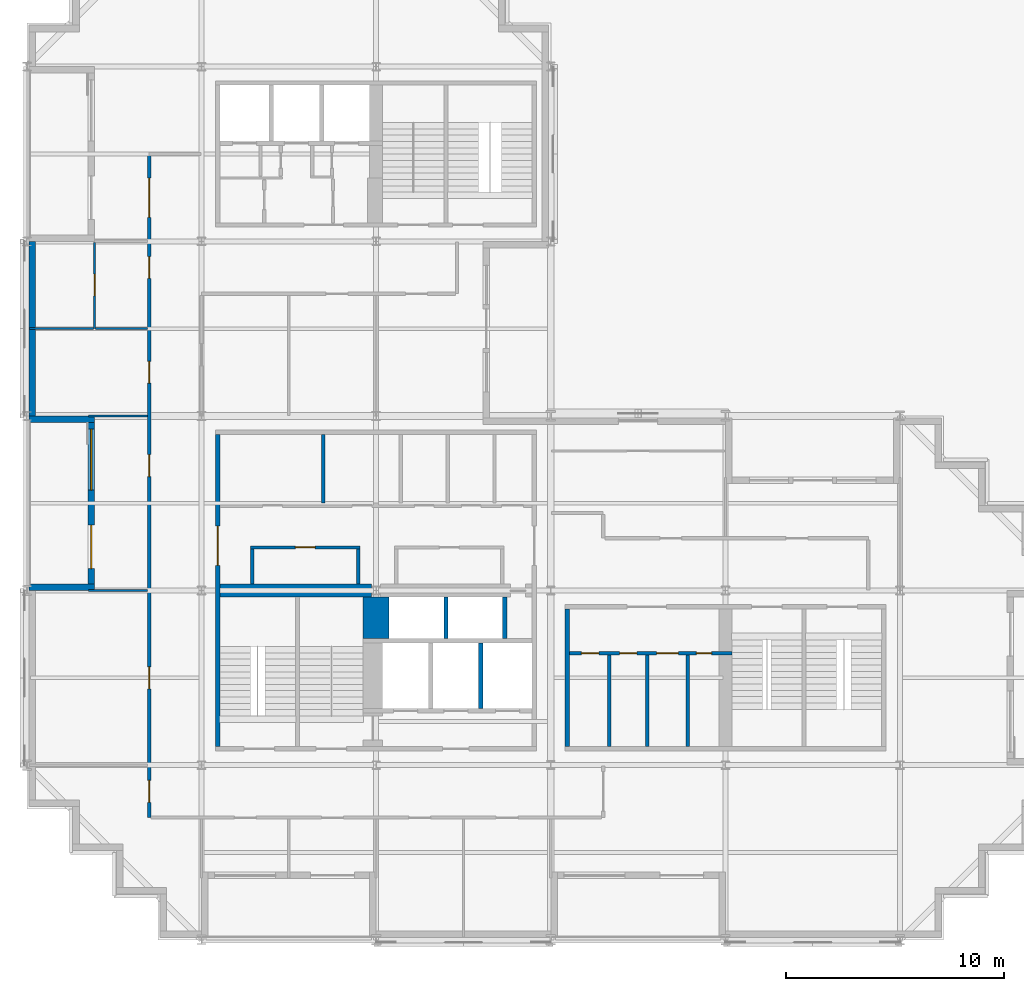
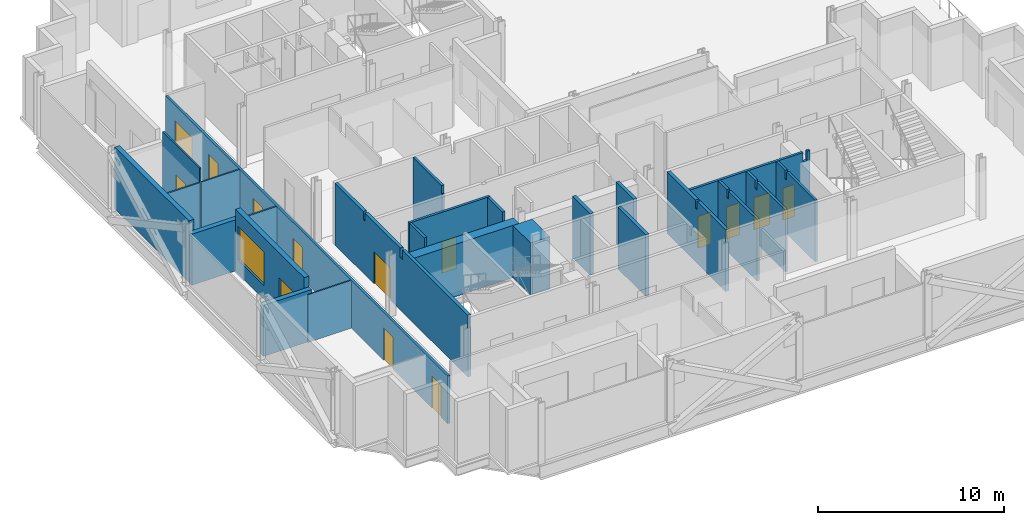
# One storey, part 5 of 12: 25 walls, 14 doors, 1 window, 15 openings.
"""IFC4 building model written with IfcOpenShell, lengths in metres."""

from ifc_helpers import new_model, si_unit, direction, frame, frame_2d, origin, place, context, subcontext, project, spatial, polyline, rectangle, outline, extrude, material, layer, layer_set, type_object, element, fill, save


model = new_model("IFC4")

# Units and contexts
model_context = context("Model", 3, precision=1e-05, world=origin(), true_north=direction((0.0, 1.0)))
body_context = subcontext(model_context, "Body", "Model", "MODEL_VIEW")
ifc_project = project(units=[si_unit("LENGTHUNIT", "METRE"), si_unit("AREAUNIT", "SQUARE_METRE"), si_unit("VOLUMEUNIT", "CUBIC_METRE"), si_unit("PLANEANGLEUNIT", "RADIAN"), si_unit("MASSUNIT", "GRAM", prefix="KILO")], contexts=[model_context])

# Site, building, storey
site_placement = place(None, origin())
site = spatial("IfcSite", under=ifc_project, at=site_placement, CompositionType="ELEMENT")
building_placement = place(site_placement, origin())
building = spatial("IfcBuilding", under=site, at=building_placement, Name="Immortelle Media Tower", CompositionType="ELEMENT")
storey_placement = place(building_placement, frame((0.0, 0.0, 120.0)))
storey = spatial("IfcBuildingStorey", under=building, at=storey_placement, Name="L23", CompositionType="ELEMENT", Elevation=120.0)

# Wall
ifc_material_1 = material(Name="Fire-rated gypsum board", Category="gypsum")
ifc_layer_1 = layer(ifc_material_1, 0.02490234375)
ifc_material_2 = material(Name="Steel ASTM A653 SS Gr 50 stud frame with mineral wool", Category="steel")
ifc_layer_2 = layer(ifc_material_2, 0.10009765625)
ifc_layer_3 = layer(ifc_material_1, 0.02490234375)
ifc_layer_set_1 = layer_set([ifc_layer_1, ifc_layer_2, ifc_layer_3], Name="Steel ASTM A653 SS Gr 50 stud frame with mineral wool")
wall_type_1 = type_object("IfcWallType", Name="Core partition 150", PredefinedType="PARTITIONING", material=ifc_layer_set_1)
wall_1_placement = place(storey_placement, frame((10.324951171875, 16.300048828125, 0.0), z_axis=(0.0, 0.0, 1.0), x_axis=(0.0, 1.0, 0.0)))
element("IfcWall", 1, at=wall_1_placement, inside=storey, type_object=wall_type_1, Name="Core partition SW", PredefinedType="PARTITIONING", context=body_context, shape_type="SweptSolid", body=[
    extrude(rectangle(XDim=1.599853515625, YDim=0.14990234375, at=frame_2d((0.7998046875, 0.0))), origin(), (0.0, 0.0, 1.0), 4.050048828125),
])

# Wall, opening, door
wall_2_placement = place(storey_placement, frame((10.25, 17.97509765625, 0.0), z_axis=(0.0, 0.0, 1.0), x_axis=(1.0, 0.0, 0.0)))
wall_2 = element("IfcWall", 2, at=wall_2_placement, inside=storey, type_object=wall_type_1, Name="Core partition SW", PredefinedType="PARTITIONING", context=body_context, shape_type="SweptSolid", body=[
    extrude(rectangle(XDim=5.0, YDim=0.14990234375, at=frame_2d((2.5, 0.0))), origin(), (0.0, 0.0, 1.0), 4.050048828125),
])
opening_1_placement = place(wall_2_placement, frame((2.949951171875, 0.0, 0.0), z_axis=(0.0, 0.0, 1.0), x_axis=(-1.0, 0.0, 0.0)))
opening_1 = element("IfcOpeningElement", 3, at=opening_1_placement, cuts=wall_2, Name="Opening C1-K004", PredefinedType="OPENING", context=body_context, shape_type="SweptSolid", body=[
    extrude(rectangle(XDim=0.89990234375, YDim=2.10009765625, at=frame_2d((0.449951171875, 1.050048828125))), frame((0.0, 0.0849609375, 0.0), z_axis=(0.0, -1.0, 0.0), x_axis=(1.0, 0.0, 0.0)), (0.0, 0.0, 1.0), 0.169921875),
])
ifc_material_3 = material(Name="Timber", Category="wood")
door_type_1 = type_object("IfcDoorType", Name="Room door 900 x 2100", OperationType="NOTDEFINED", PredefinedType="NOTDEFINED", material=ifc_material_3)
door_1_placement = place(opening_1_placement, origin())
door_1 = element("IfcDoor", 4, at=door_1_placement, inside=storey, type_object=door_type_1, Name="Room C1-K004", OperationType="SINGLE_SWING_RIGHT", OverallHeight=2.10009765625, OverallWidth=0.89990234375, PredefinedType="NOTDEFINED", context=body_context, shape_type="SweptSolid", body=[
    extrude(rectangle(XDim=0.89990234375, YDim=2.10009765625, at=frame_2d((0.449951171875, 1.050048828125))), frame((0.0, 0.02490234375, 0.0), z_axis=(0.0, -1.0, 0.0), x_axis=(1.0, 0.0, 0.0)), (0.0, 0.0, 1.0), 0.050048828125),
])
fill(opening_1, door_1)

# Walls
wall_3_placement = place(storey_placement, frame((13.574951171875, 20.0, 0.0), z_axis=(0.0, 0.0, 1.0), x_axis=(0.0, 1.0, 0.0)))
element("IfcWall", 5, at=wall_3_placement, inside=storey, type_object=wall_type_1, Name="Core partition SW", PredefinedType="PARTITIONING", context=body_context, shape_type="SweptSolid", body=[
    extrude(outline(polyline([(0.0, 0.0), (3.14990234375, 0.0), (3.14990234375, 4.050048828125), (0.08740234375, 4.050048828125), (0.08642578125, 3.51806640625), (0.0, 3.51806640625), (0.0, 0.0)])), frame((0.0, 0.074951171875, 0.0), z_axis=(0.0, -1.0, 0.0), x_axis=(1.0, 0.0, 0.0)), (0.0, 0.0, 1.0), 0.14990234375),
])
wall_4_placement = place(storey_placement, frame((15.175048828125, 16.300048828125, 0.0), z_axis=(0.0, 0.0, 1.0), x_axis=(0.0, 1.0, 0.0)))
element("IfcWall", 6, at=wall_4_placement, inside=storey, type_object=wall_type_1, Name="Core partition SW", PredefinedType="PARTITIONING", context=body_context, shape_type="SweptSolid", body=[
    extrude(rectangle(XDim=1.599853515625, YDim=0.14990234375, at=frame_2d((0.7998046875, 0.0))), origin(), (0.0, 0.0, 1.0), 4.050048828125),
])

# Wall, openings, doors
wall_5_placement = place(storey_placement, frame((24.85009765625, 13.125, 0.0), z_axis=(0.0, 0.0, 1.0), x_axis=(1.0, 0.0, 0.0)))
wall_5 = element("IfcWall", 7, at=wall_5_placement, inside=storey, type_object=wall_type_1, Name="Core partition SE", PredefinedType="PARTITIONING", context=body_context, shape_type="SweptSolid", body=[
    extrude(outline(polyline([(0.0, 0.0), (7.449951171875, 0.0), (7.449951171875, 4.050048828125), (7.26953125, 4.050048828125), (7.2685546875, 3.431884765625), (7.031494140625, 3.431884765625), (7.030517578125, 4.050048828125), (0.0, 4.050048828125), (0.0, 0.0)])), frame((0.0, 0.074951171875, 0.0), z_axis=(0.0, -1.0, 0.0), x_axis=(1.0, 0.0, 0.0)), (0.0, 0.0, 1.0), 0.14990234375),
])
opening_2_placement = place(wall_5_placement, frame((1.35009765625, 0.0, 0.0), z_axis=(0.0, 0.0, 1.0), x_axis=(-1.0, 0.0, 0.0)))
opening_2 = element("IfcOpeningElement", 8, at=opening_2_placement, cuts=wall_5, Name="Opening C1-K018", PredefinedType="OPENING", context=body_context, shape_type="SweptSolid", body=[
    extrude(rectangle(XDim=0.800048828125, YDim=2.10009765625, at=frame_2d((0.39990234375, 1.050048828125))), frame((0.0, 0.0849609375, 0.0), z_axis=(0.0, -1.0, 0.0), x_axis=(1.0, 0.0, 0.0)), (0.0, 0.0, 1.0), 0.169921875),
])
opening_3_placement = place(wall_5_placement, frame((3.10009765625, 0.0, 0.0), z_axis=(0.0, 0.0, 1.0), x_axis=(-1.0, 0.0, 0.0)))
opening_3 = element("IfcOpeningElement", 9, at=opening_3_placement, cuts=wall_5, Name="Opening C1-K019", PredefinedType="OPENING", context=body_context, shape_type="SweptSolid", body=[
    extrude(rectangle(XDim=0.800048828125, YDim=2.10009765625, at=frame_2d((0.39990234375, 1.050048828125))), frame((0.0, 0.0849609375, 0.0), z_axis=(0.0, -1.0, 0.0), x_axis=(1.0, 0.0, 0.0)), (0.0, 0.0, 1.0), 0.169921875),
])
opening_4_placement = place(wall_5_placement, frame((5.0, 0.0, 0.0), z_axis=(0.0, 0.0, 1.0), x_axis=(-1.0, 0.0, 0.0)))
opening_4 = element("IfcOpeningElement", 10, at=opening_4_placement, cuts=wall_5, Name="Opening C1-K021", PredefinedType="OPENING", context=body_context, shape_type="SweptSolid", body=[
    extrude(rectangle(XDim=1.0, YDim=2.10009765625, at=frame_2d((0.5, 1.050048828125))), frame((0.0, 0.0849609375, 0.0), z_axis=(0.0, -1.0, 0.0), x_axis=(1.0, 0.0, 0.0)), (0.0, 0.0, 1.0), 0.169921875),
])
opening_5_placement = place(wall_5_placement, frame((6.52490234375, 0.0, 0.0), z_axis=(0.0, 0.0, 1.0), x_axis=(-1.0, 0.0, 0.0)))
opening_5 = element("IfcOpeningElement", 11, at=opening_5_placement, cuts=wall_5, Name="Opening C1-K022", PredefinedType="OPENING", context=body_context, shape_type="SweptSolid", body=[
    extrude(rectangle(XDim=0.699951171875, YDim=2.10009765625, at=frame_2d((0.35009765625, 1.050048828125))), frame((0.0, 0.0849609375, 0.0), z_axis=(0.0, -1.0, 0.0), x_axis=(1.0, 0.0, 0.0)), (0.0, 0.0, 1.0), 0.169921875),
])
door_type_2 = type_object("IfcDoorType", Name="Accessible toilet door 1000 x 2100", OperationType="NOTDEFINED", PredefinedType="NOTDEFINED", material=ifc_material_3)
door_2_placement = place(opening_4_placement, origin())
door_2 = element("IfcDoor", 12, at=door_2_placement, inside=storey, type_object=door_type_2, Name="Accessible toilet C1-K021", OperationType="SINGLE_SWING_RIGHT", OverallHeight=2.10009765625, OverallWidth=1.0, PredefinedType="NOTDEFINED", context=body_context, shape_type="SweptSolid", body=[
    extrude(rectangle(XDim=1.0, YDim=2.10009765625, at=frame_2d((0.5, 1.050048828125))), frame((0.0, 0.02490234375, 0.0), z_axis=(0.0, -1.0, 0.0), x_axis=(1.0, 0.0, 0.0)), (0.0, 0.0, 1.0), 0.050048828125),
])
fill(opening_4, door_2)
ifc_material_4 = material(Name="Galvanised steel door leaf and frame ASTM A653", Category="steel")
door_type_3 = type_object("IfcDoorType", Name="Service door 700 x 2100", OperationType="NOTDEFINED", PredefinedType="NOTDEFINED", material=ifc_material_4)
door_3_placement = place(opening_5_placement, origin())
door_3 = element("IfcDoor", 13, at=door_3_placement, inside=storey, type_object=door_type_3, Name="Service C1-K022", OperationType="SINGLE_SWING_RIGHT", OverallHeight=2.10009765625, OverallWidth=0.699951171875, PredefinedType="NOTDEFINED", context=body_context, shape_type="SweptSolid", body=[
    extrude(rectangle(XDim=0.699951171875, YDim=2.10009765625, at=frame_2d((0.35009765625, 1.050048828125))), frame((0.0, 0.02490234375, 0.0), z_axis=(0.0, -1.0, 0.0), x_axis=(1.0, 0.0, 0.0)), (0.0, 0.0, 1.0), 0.050048828125),
])
fill(opening_5, door_3)
door_type_4 = type_object("IfcDoorType", Name="Toilet door 800 x 2100", OperationType="NOTDEFINED", PredefinedType="NOTDEFINED", material=ifc_material_3)
door_4_placement = place(opening_2_placement, origin())
door_4 = element("IfcDoor", 14, at=door_4_placement, inside=storey, type_object=door_type_4, Name="Toilet C1-K018", OperationType="SINGLE_SWING_RIGHT", OverallHeight=2.10009765625, OverallWidth=0.800048828125, PredefinedType="NOTDEFINED", context=body_context, shape_type="SweptSolid", body=[
    extrude(rectangle(XDim=0.800048828125, YDim=2.10009765625, at=frame_2d((0.39990234375, 1.050048828125))), frame((0.0, 0.02490234375, 0.0), z_axis=(0.0, -1.0, 0.0), x_axis=(1.0, 0.0, 0.0)), (0.0, 0.0, 1.0), 0.050048828125),
])
fill(opening_2, door_4)
door_5_placement = place(opening_3_placement, origin())
door_5 = element("IfcDoor", 15, at=door_5_placement, inside=storey, type_object=door_type_4, Name="Toilet C1-K019", OperationType="SINGLE_SWING_RIGHT", OverallHeight=2.10009765625, OverallWidth=0.800048828125, PredefinedType="NOTDEFINED", context=body_context, shape_type="SweptSolid", body=[
    extrude(rectangle(XDim=0.800048828125, YDim=2.10009765625, at=frame_2d((0.39990234375, 1.050048828125))), frame((0.0, 0.02490234375, 0.0), z_axis=(0.0, -1.0, 0.0), x_axis=(1.0, 0.0, 0.0)), (0.0, 0.0, 1.0), 0.050048828125),
])
fill(opening_3, door_5)

# Walls
for number, where, z_axis, x_axis, name in (
    (16, (26.675048828125, 8.85009765625, 0.0), (0.0, 0.0, 1.0), (0.0, 1.0, 0.0), "Core partition SE"),
    (17, (28.425048828125, 8.85009765625, 0.0), (0.0, 0.0, 1.0), (0.0, 1.0, 0.0), "Core partition SE"),
    (18, (30.27490234375, 8.85009765625, 0.0), (0.0, 0.0, 1.0), (0.0, 1.0, 0.0), "Core partition SE"),
):
    element("IfcWall", number, at=place(storey_placement, frame(where, z_axis=z_axis, x_axis=x_axis)), inside=storey, type_object=wall_type_1, Name=name, PredefinedType="PARTITIONING", context=body_context, shape_type="SweptSolid", body=[
        extrude(outline(polyline([(0.0, 0.0), (4.199951171875, 0.0), (4.199951171875, 4.050048828125), (3.237548828125, 4.050048828125), (3.236572265625, 3.51806640625), (3.0634765625, 3.51806640625), (3.0625, 4.050048828125), (0.0, 4.050048828125), (0.0, 0.0)])), frame((0.0, 0.074951171875, 0.0), z_axis=(0.0, -1.0, 0.0), x_axis=(1.0, 0.0, 0.0)), (0.0, 0.0, 1.0), 0.14990234375),
    ])
ifc_layer_4 = layer(ifc_material_1, 0.03759765625)
ifc_layer_5 = layer(ifc_material_2, 0.125)
ifc_layer_6 = layer(ifc_material_1, 0.03759765625)
ifc_layer_set_2 = layer_set([ifc_layer_4, ifc_layer_5, ifc_layer_6], Name="Steel ASTM A653 SS Gr 50 stud frame with mineral wool")
wall_type_2 = type_object("IfcWallType", Name="Core shaft wall 200", PredefinedType="PARTITIONING", material=ifc_layer_set_2)
wall_6_placement = place(storey_placement, frame((19.199951171875, 13.800048828125, 0.0), z_axis=(0.0, 0.0, 1.0), x_axis=(0.0, 1.0, 0.0)))
element("IfcWall", 19, at=wall_6_placement, inside=storey, type_object=wall_type_2, Name="Core shaft wall SW", PredefinedType="PARTITIONING", context=body_context, shape_type="SweptSolid", body=[
    extrude(rectangle(XDim=1.89990234375, YDim=0.199951171875, at=frame_2d((0.949951171875, 0.0))), origin(), (0.0, 0.0, 1.0), 4.050048828125),
])
wall_7_placement = place(storey_placement, frame((20.800048828125, 10.60009765625, 0.0), z_axis=(0.0, 0.0, 1.0), x_axis=(0.0, 1.0, 0.0)))
element("IfcWall", 20, at=wall_7_placement, inside=storey, type_object=wall_type_2, Name="Core shaft wall SW", PredefinedType="PARTITIONING", context=body_context, shape_type="SweptSolid", body=[
    extrude(rectangle(XDim=3.0, YDim=0.199951171875, at=frame_2d((1.5, 0.0))), origin(), (0.0, 0.0, 1.0), 4.050048828125),
])
wall_8_placement = place(storey_placement, frame((21.89990234375, 13.800048828125, 0.0), z_axis=(0.0, 0.0, 1.0), x_axis=(0.0, 1.0, 0.0)))
element("IfcWall", 21, at=wall_8_placement, inside=storey, type_object=wall_type_2, Name="Core shaft wall SW", PredefinedType="PARTITIONING", context=body_context, shape_type="SweptSolid", body=[
    extrude(rectangle(XDim=1.89990234375, YDim=0.199951171875, at=frame_2d((0.949951171875, 0.0))), origin(), (0.0, 0.0, 1.0), 4.050048828125),
])
wall_9_placement = place(storey_placement, frame((24.75, 8.85009765625, 0.0), z_axis=(0.0, 0.0, 1.0), x_axis=(0.0, 1.0, 0.0)))
element("IfcWall", 22, at=wall_9_placement, inside=storey, type_object=wall_type_2, Name="Core shaft wall SE", PredefinedType="PARTITIONING", context=body_context, shape_type="SweptSolid", body=[
    extrude(outline(polyline([(0.0, 0.0), (6.2998046875, 0.0), (6.300048828125, 4.050048828125), (3.237548828125, 4.050048828125), (3.236572265625, 3.51806640625), (3.0634765625, 3.51806640625), (3.0625, 4.050048828125), (0.0, 4.050048828125), (0.0, 0.0)])), frame((0.0, 0.10009765625, 0.0), z_axis=(0.0, -1.0, 0.0), x_axis=(1.0, 0.0, 0.0)), (0.0, 0.0, 1.0), 0.199951171875),
])

# Wall, openings, doors
ifc_layer_7 = layer(ifc_material_1, 0.012451171875)
ifc_layer_8 = layer(ifc_material_2, 0.125)
ifc_layer_9 = layer(ifc_material_1, 0.012451171875)
ifc_layer_set_3 = layer_set([ifc_layer_7, ifc_layer_8, ifc_layer_9], Name="Steel ASTM A653 SS Gr 50 stud frame with mineral wool")
wall_type_3 = type_object("IfcWallType", Name="Corridor wall 150", PredefinedType="PARTITIONING", material=ifc_layer_set_3)
wall_10_placement = place(storey_placement, frame((5.60009765625, 5.60009765625, 0.0), z_axis=(0.0, 0.0, 1.0), x_axis=(0.0, 1.0, 0.0)))
wall_10 = element("IfcWall", 23, at=wall_10_placement, inside=storey, type_object=wall_type_3, Name="Partition L23-007", PredefinedType="PARTITIONING", context=body_context, shape_type="SweptSolid", body=[
    extrude(rectangle(XDim=30.324951171875, YDim=0.14990234375, at=frame_2d((15.16259765625, 0.0))), origin(), (0.0, 0.0, 1.0), 3.123046875),
])
opening_6_placement = place(wall_10_placement, frame((0.699951171875, 0.0, 0.0)))
opening_6 = element("IfcOpeningElement", 24, at=opening_6_placement, cuts=wall_10, Name="Opening C1-F005", PredefinedType="OPENING", context=body_context, shape_type="SweptSolid", body=[
    extrude(rectangle(XDim=1.0, YDim=2.10009765625, at=frame_2d((0.5, 1.050048828125))), frame((0.0, 0.0849609375, 0.0), z_axis=(0.0, -1.0, 0.0), x_axis=(1.0, 0.0, 0.0)), (0.0, 0.0, 1.0), 0.169921875),
])
opening_7_placement = place(wall_10_placement, frame((6.89990234375, 0.0, 0.0), z_axis=(0.0, 0.0, 1.0), x_axis=(-1.0, 0.0, 0.0)))
opening_7 = element("IfcOpeningElement", 25, at=opening_7_placement, cuts=wall_10, Name="Opening C1-F007", PredefinedType="OPENING", context=body_context, shape_type="SweptSolid", body=[
    extrude(rectangle(XDim=1.0, YDim=2.10009765625, at=frame_2d((0.5, 1.050048828125))), frame((0.0, 0.0849609375, 0.0), z_axis=(0.0, -1.0, 0.0), x_axis=(1.0, 0.0, 0.0)), (0.0, 0.0, 1.0), 0.169921875),
])
opening_8_placement = place(wall_10_placement, frame((15.625, 0.0, 0.0)))
opening_8 = element("IfcOpeningElement", 26, at=opening_8_placement, cuts=wall_10, Name="Opening C1-F009", PredefinedType="OPENING", context=body_context, shape_type="SweptSolid", body=[
    extrude(rectangle(XDim=1.0, YDim=2.10009765625, at=frame_2d((0.5, 1.050048828125))), frame((0.0, 0.0849609375, 0.0), z_axis=(0.0, -1.0, 0.0), x_axis=(1.0, 0.0, 0.0)), (0.0, 0.0, 1.0), 0.169921875),
])
opening_9_placement = place(wall_10_placement, frame((19.89990234375, 0.0, 0.0)))
opening_9 = element("IfcOpeningElement", 27, at=opening_9_placement, cuts=wall_10, Name="Opening C1-F015", PredefinedType="OPENING", context=body_context, shape_type="SweptSolid", body=[
    extrude(rectangle(XDim=1.0, YDim=2.10009765625, at=frame_2d((0.5, 1.050048828125))), frame((0.0, 0.0849609375, 0.0), z_axis=(0.0, -1.0, 0.0), x_axis=(1.0, 0.0, 0.0)), (0.0, 0.0, 1.0), 0.169921875),
])
opening_10_placement = place(wall_10_placement, frame((24.699951171875, 0.0, 0.0)))
opening_10 = element("IfcOpeningElement", 28, at=opening_10_placement, cuts=wall_10, Name="Opening C1-F016", PredefinedType="OPENING", context=body_context, shape_type="SweptSolid", body=[
    extrude(rectangle(XDim=1.0, YDim=2.10009765625, at=frame_2d((0.5, 1.050048828125))), frame((0.0, 0.0849609375, 0.0), z_axis=(0.0, -1.0, 0.0), x_axis=(1.0, 0.0, 0.0)), (0.0, 0.0, 1.0), 0.169921875),
])
opening_11_placement = place(wall_10_placement, frame((27.5, 0.0, 0.0)))
opening_11 = element("IfcOpeningElement", 29, at=opening_11_placement, cuts=wall_10, Name="Opening C1-F018", PredefinedType="OPENING", context=body_context, shape_type="SweptSolid", body=[
    extrude(rectangle(XDim=1.800048828125, YDim=2.10009765625, at=frame_2d((0.89990234375, 1.050048828125))), frame((0.0, 0.0849609375, 0.0), z_axis=(0.0, -1.0, 0.0), x_axis=(1.0, 0.0, 0.0)), (0.0, 0.0, 1.0), 0.169921875),
])
ifc_material_5 = material(Name="Timber veneered door leaf, galvanised steel frame ASTM A653", Category="steel")
door_type_5 = type_object("IfcDoorType", Name="Room door 1000 x 2100", OperationType="NOTDEFINED", PredefinedType="DOOR", material=ifc_material_5)
door_6_placement = place(opening_6_placement, origin())
door_6 = element("IfcDoor", 30, at=door_6_placement, inside=storey, type_object=door_type_5, Name="Door C1-F005", OperationType="SINGLE_SWING_RIGHT", OverallHeight=2.10009765625, OverallWidth=1.0, PredefinedType="DOOR", context=body_context, shape_type="SweptSolid", body=[
    extrude(rectangle(XDim=1.0, YDim=2.10009765625, at=frame_2d((0.5, 1.050048828125))), frame((0.0, 0.02490234375, 0.0), z_axis=(0.0, -1.0, 0.0), x_axis=(1.0, 0.0, 0.0)), (0.0, 0.0, 1.0), 0.050048828125),
])
fill(opening_6, door_6)
door_7_placement = place(opening_7_placement, origin())
door_7 = element("IfcDoor", 31, at=door_7_placement, inside=storey, type_object=door_type_5, Name="Door C1-F007", OperationType="SINGLE_SWING_RIGHT", OverallHeight=2.10009765625, OverallWidth=1.0, PredefinedType="DOOR", context=body_context, shape_type="SweptSolid", body=[
    extrude(rectangle(XDim=1.0, YDim=2.10009765625, at=frame_2d((0.5, 1.050048828125))), frame((0.0, 0.02490234375, 0.0), z_axis=(0.0, -1.0, 0.0), x_axis=(1.0, 0.0, 0.0)), (0.0, 0.0, 1.0), 0.050048828125),
])
fill(opening_7, door_7)
door_8_placement = place(opening_8_placement, origin())
door_8 = element("IfcDoor", 32, at=door_8_placement, inside=storey, type_object=door_type_5, Name="Door C1-F009", OperationType="SINGLE_SWING_RIGHT", OverallHeight=2.10009765625, OverallWidth=1.0, PredefinedType="DOOR", context=body_context, shape_type="SweptSolid", body=[
    extrude(rectangle(XDim=1.0, YDim=2.10009765625, at=frame_2d((0.5, 1.050048828125))), frame((0.0, 0.02490234375, 0.0), z_axis=(0.0, -1.0, 0.0), x_axis=(1.0, 0.0, 0.0)), (0.0, 0.0, 1.0), 0.050048828125),
])
fill(opening_8, door_8)
door_9_placement = place(opening_9_placement, origin())
door_9 = element("IfcDoor", 33, at=door_9_placement, inside=storey, type_object=door_type_5, Name="Door C1-F015", OperationType="SINGLE_SWING_RIGHT", OverallHeight=2.10009765625, OverallWidth=1.0, PredefinedType="DOOR", context=body_context, shape_type="SweptSolid", body=[
    extrude(rectangle(XDim=1.0, YDim=2.10009765625, at=frame_2d((0.5, 1.050048828125))), frame((0.0, 0.02490234375, 0.0), z_axis=(0.0, -1.0, 0.0), x_axis=(1.0, 0.0, 0.0)), (0.0, 0.0, 1.0), 0.050048828125),
])
fill(opening_9, door_9)
door_10_placement = place(opening_10_placement, origin())
door_10 = element("IfcDoor", 34, at=door_10_placement, inside=storey, type_object=door_type_5, Name="Door C1-F016", OperationType="SINGLE_SWING_RIGHT", OverallHeight=2.10009765625, OverallWidth=1.0, PredefinedType="DOOR", context=body_context, shape_type="SweptSolid", body=[
    extrude(rectangle(XDim=1.0, YDim=2.10009765625, at=frame_2d((0.5, 1.050048828125))), frame((0.0, 0.02490234375, 0.0), z_axis=(0.0, -1.0, 0.0), x_axis=(1.0, 0.0, 0.0)), (0.0, 0.0, 1.0), 0.050048828125),
])
fill(opening_10, door_10)
door_type_6 = type_object("IfcDoorType", Name="Room door 1800 x 2100", OperationType="DOUBLE_DOOR_SINGLE_SWING", PredefinedType="DOOR", material=ifc_material_5)
door_11_placement = place(opening_11_placement, origin())
door_11 = element("IfcDoor", 35, at=door_11_placement, inside=storey, type_object=door_type_6, Name="Door C1-F018", OperationType="DOUBLE_DOOR_SINGLE_SWING", OverallHeight=2.10009765625, OverallWidth=1.800048828125, PredefinedType="DOOR", context=body_context, shape_type="SweptSolid", body=[
    extrude(rectangle(XDim=1.800048828125, YDim=2.10009765625, at=frame_2d((0.89990234375, 1.050048828125))), frame((0.0, 0.02490234375, 0.0), z_axis=(0.0, -1.0, 0.0), x_axis=(1.0, 0.0, 0.0)), (0.0, 0.0, 1.0), 0.050048828125),
])
fill(opening_11, door_11)

# Wall
ifc_material_6 = material(Name="Pale aluminium cladding panel", Category="aluminium")
ifc_layer_10 = layer(ifc_material_6, 0.030029296875)
ifc_layer_11 = layer(ifc_material_2, 0.257568359375)
ifc_material_7 = material(Name="Moisture-resistant gypsum board", Category="gypsum")
ifc_layer_12 = layer(ifc_material_7, 0.012451171875)
ifc_layer_set_4 = layer_set([ifc_layer_10, ifc_layer_11, ifc_layer_12], Name="Steel ASTM A653 SS Gr 50 stud frame with mineral wool")
wall_type_4 = type_object("IfcWallType", Name="Facade wall 300", PredefinedType="SOLIDWALL", material=ifc_layer_set_4)
wall_11_placement = place(storey_placement, frame((0.25, 32.0, 0.0), z_axis=(0.0, 0.0, 1.0), x_axis=(0.0, -1.0, 0.0)))
element("IfcWall", 36, at=wall_11_placement, inside=storey, type_object=wall_type_4, Name="Facade wall L23 W35", PredefinedType="SOLIDWALL", context=body_context, shape_type="SweptSolid", body=[
    extrude(rectangle(XDim=8.0, YDim=0.300048828125, at=frame_2d((4.0, 0.0))), origin(), (0.0, 0.0, 1.0), 4.050048828125),
])

# Wall, openings, door, window
wall_12_placement = place(storey_placement, frame((2.949951171875, 23.699951171875, 0.0), z_axis=(0.0, 0.0, 1.0), x_axis=(0.0, -1.0, 0.0)))
wall_12 = element("IfcWall", 37, at=wall_12_placement, inside=storey, type_object=wall_type_4, Name="Loggia wall L23 W35", PredefinedType="SOLIDWALL", context=body_context, shape_type="SweptSolid", body=[
    extrude(rectangle(XDim=7.39990234375, YDim=0.300048828125, at=frame_2d((3.699951171875, 0.0))), origin(), (0.0, 0.0, 1.0), 4.050048828125),
])
opening_12_placement = place(wall_12_placement, frame((0.300048828125, 0.0, 0.89990234375)))
opening_12 = element("IfcOpeningElement", 38, at=opening_12_placement, cuts=wall_12, Name="Opening W1", PredefinedType="OPENING", context=body_context, shape_type="SweptSolid", body=[
    extrude(rectangle(XDim=2.800048828125, YDim=2.199951171875, at=frame_2d((1.39990234375, 1.10009765625))), frame((0.0, 0.159912109375, 0.0), z_axis=(0.0, -1.0, 0.0), x_axis=(1.0, 0.0, 0.0)), (0.0, 0.0, 1.0), 0.320068359375),
])
opening_13_placement = place(wall_12_placement, frame((4.699951171875, 0.0, 0.0)))
opening_13 = element("IfcOpeningElement", 39, at=opening_13_placement, cuts=wall_12, Name="Opening C1-E008", PredefinedType="OPENING", context=body_context, shape_type="SweptSolid", body=[
    extrude(rectangle(XDim=2.0, YDim=2.39990234375, at=frame_2d((1.0, 1.199951171875))), frame((0.0, 0.159912109375, 0.0), z_axis=(0.0, -1.0, 0.0), x_axis=(1.0, 0.0, 0.0)), (0.0, 0.0, 1.0), 0.320068359375),
])
ifc_material_8 = material(Name="Aluminium frame, glazed leaves", Category="aluminium")
door_type_7 = type_object("IfcDoorType", Name="Loggia door 2000 x 2400", OperationType="DOUBLE_DOOR_SINGLE_SWING", PredefinedType="DOOR", material=ifc_material_8)
door_12_placement = place(opening_13_placement, origin())
door_12 = element("IfcDoor", 40, at=door_12_placement, inside=storey, type_object=door_type_7, Name="Door C1-E008", OperationType="DOUBLE_DOOR_SINGLE_SWING", OverallHeight=2.39990234375, OverallWidth=2.0, PredefinedType="DOOR", context=body_context, shape_type="SweptSolid", body=[
    extrude(rectangle(XDim=2.0, YDim=2.39990234375, at=frame_2d((1.0, 1.199951171875))), frame((0.0, 0.02490234375, 0.0), z_axis=(0.0, -1.0, 0.0), x_axis=(1.0, 0.0, 0.0)), (0.0, 0.0, 1.0), 0.050048828125),
])
fill(opening_13, door_12)
ifc_material_9 = material(Name="Aluminium frame", Category="aluminium")
window_type = type_object("IfcWindowType", Name="Window 2800 x 2200", PartitioningType="SINGLE_PANEL", PredefinedType="WINDOW", material=ifc_material_9)
window_placement = place(opening_12_placement, origin())
window = element("IfcWindow", 41, at=window_placement, inside=storey, type_object=window_type, Name="Window L23 L23-R35-B2", OverallHeight=2.199951171875, OverallWidth=2.800048828125, PartitioningType="SINGLE_PANEL", PredefinedType="WINDOW", context=body_context, shape_type="SweptSolid", body=[
    extrude(rectangle(XDim=2.800048828125, YDim=2.199951171875, at=frame_2d((1.39990234375, 1.10009765625))), frame((0.0, 0.030029296875, 0.0), z_axis=(0.0, -1.0, 0.0), x_axis=(1.0, 0.0, 0.0)), (0.0, 0.0, 1.0), 0.06005859375),
])
fill(opening_12, window)

# Walls
for number, where, z_axis, x_axis, name in (
    (42, (0.10009765625, 23.85009765625, 0.0), (0.0, 0.0, 1.0), (1.0, 0.0, 0.0), "Loggia cheek wall L23 W"),
    (43, (0.10009765625, 16.14990234375, 0.0), (0.0, 0.0, 1.0), (1.0, 0.0, 0.0), "Loggia cheek wall L23 W"),
):
    element("IfcWall", number, at=place(storey_placement, frame(where, z_axis=z_axis, x_axis=x_axis)), inside=storey, type_object=wall_type_4, Name=name, PredefinedType="SOLIDWALL", context=body_context, shape_type="SweptSolid", body=[
        extrude(rectangle(XDim=3.0, YDim=0.300048828125, at=frame_2d((1.5, 0.0))), origin(), (0.0, 0.0, 1.0), 3.35595703125),
    ])
ifc_material_10 = material(Name="Gypsum board", Category="gypsum")
ifc_layer_13 = layer(ifc_material_10, 0.012451171875)
ifc_layer_14 = layer(ifc_material_2, 0.074951171875)
ifc_layer_15 = layer(ifc_material_10, 0.012451171875)
ifc_layer_set_5 = layer_set([ifc_layer_13, ifc_layer_14, ifc_layer_15], Name="Steel ASTM A653 SS Gr 50 stud frame with mineral wool")
wall_type_5 = type_object("IfcWallType", Name="Partition 100", PredefinedType="PARTITIONING", material=ifc_layer_set_5)
for number, where, z_axis, x_axis, name in (
    (44, (2.830078125, 16.0, 0.0), (0.0, 0.0, 1.0), (1.0, 0.0, 0.0), "Partition L23-010"),
    (45, (2.830078125, 24.0, 0.0), (0.0, 0.0, 1.0), (1.0, 0.0, 0.0), "Partition L23-018"),
):
    element("IfcWall", number, at=place(storey_placement, frame(where, z_axis=z_axis, x_axis=x_axis)), inside=storey, type_object=wall_type_5, Name=name, PredefinedType="PARTITIONING", context=body_context, shape_type="SweptSolid", body=[
        extrude(rectangle(XDim=2.69482421875, YDim=0.10009765625, at=frame_2d((1.347412109375, 0.0))), origin(), (0.0, 0.0, 1.0), 3.123046875),
    ])
wall_13_placement = place(storey_placement, frame((0.1298828125, 28.0, 0.0), z_axis=(0.0, 0.0, 1.0), x_axis=(1.0, 0.0, 0.0)))
element("IfcWall", 46, at=wall_13_placement, inside=storey, type_object=wall_type_5, Name="Partition L23-022", PredefinedType="PARTITIONING", context=body_context, shape_type="SweptSolid", body=[
    extrude(rectangle(XDim=2.920166015625, YDim=0.10009765625, at=frame_2d((1.4599609375, 0.0))), origin(), (0.0, 0.0, 1.0), 3.123046875),
])
wall_14_placement = place(storey_placement, frame((3.14990234375, 28.0, 0.0), z_axis=(0.0, 0.0, 1.0), x_axis=(1.0, 0.0, 0.0)))
element("IfcWall", 47, at=wall_14_placement, inside=storey, type_object=wall_type_5, Name="Partition L23-023", PredefinedType="PARTITIONING", context=body_context, shape_type="SweptSolid", body=[
    extrude(rectangle(XDim=2.375, YDim=0.10009765625, at=frame_2d((1.1875, 0.0))), origin(), (0.0, 0.0, 1.0), 3.123046875),
])

# Wall, opening, door
wall_15_placement = place(storey_placement, frame((3.10009765625, 28.0, 0.0), z_axis=(0.0, 0.0, 1.0), x_axis=(0.0, 1.0, 0.0)))
wall_15 = element("IfcWall", 48, at=wall_15_placement, inside=storey, type_object=wall_type_5, Name="Partition L23-024", PredefinedType="PARTITIONING", context=body_context, shape_type="SweptSolid", body=[
    extrude(rectangle(XDim=3.949951171875, YDim=0.10009765625, at=frame_2d((1.97509765625, 0.0))), origin(), (0.0, 0.0, 1.0), 4.050048828125),
])
opening_14_placement = place(wall_15_placement, frame((2.5, 0.0, 0.0), z_axis=(0.0, 0.0, 1.0), x_axis=(-1.0, 0.0, 0.0)))
opening_14 = element("IfcOpeningElement", 49, at=opening_14_placement, cuts=wall_15, Name="Opening C1-F017", PredefinedType="OPENING", context=body_context, shape_type="SweptSolid", body=[
    extrude(rectangle(XDim=1.0, YDim=2.10009765625, at=frame_2d((0.5, 1.050048828125))), frame((0.0, 0.06005859375, 0.0), z_axis=(0.0, -1.0, 0.0), x_axis=(1.0, 0.0, 0.0)), (0.0, 0.0, 1.0), 0.1201171875),
])
door_13_placement = place(opening_14_placement, origin())
door_13 = element("IfcDoor", 50, at=door_13_placement, inside=storey, type_object=door_type_5, Name="Door C1-F017", OperationType="SINGLE_SWING_LEFT", OverallHeight=2.10009765625, OverallWidth=1.0, PredefinedType="DOOR", context=body_context, shape_type="SweptSolid", body=[
    extrude(rectangle(XDim=1.0, YDim=2.10009765625, at=frame_2d((0.5, 1.050048828125))), frame((0.0, 0.02490234375, 0.0), z_axis=(0.0, -1.0, 0.0), x_axis=(1.0, 0.0, 0.0)), (0.0, 0.0, 1.0), 0.050048828125),
])
fill(opening_14, door_13)

# Wall
ifc_material_11 = material(Name="Concrete C60", Category="concrete")
ifc_layer_16 = layer(ifc_material_11, 1.199951171875)
ifc_layer_set_6 = layer_set([ifc_layer_16], Name="Concrete C60")
wall_type_6 = type_object("IfcWallType", Name="Stair shaft wall 1200", PredefinedType="PARTITIONING", material=ifc_layer_set_6)
wall_16_placement = place(storey_placement, frame((16.0, 13.800048828125, 0.0), z_axis=(0.0, 0.0, 1.0), x_axis=(0.0, 1.0, 0.0)))
element("IfcWall", 51, at=wall_16_placement, inside=storey, type_object=wall_type_6, Name="Stair shaft wall SW", PredefinedType="PARTITIONING", context=body_context, shape_type="SweptSolid", body=[
    extrude(rectangle(XDim=1.89990234375, YDim=1.199951171875, at=frame_2d((0.949951171875, 0.0))), origin(), (0.0, 0.0, 1.0), 3.431884765625),
])

# Wall, opening, door
ifc_layer_17 = layer(ifc_material_11, 0.199951171875)
ifc_layer_set_7 = layer_set([ifc_layer_17], Name="Concrete C60")
wall_type_7 = type_object("IfcWallType", Name="Stair shaft wall 200", PredefinedType="PARTITIONING", material=ifc_layer_set_7)
wall_17_placement = place(storey_placement, frame((8.75, 8.85009765625, 0.0), z_axis=(0.0, 0.0, 1.0), x_axis=(0.0, 1.0, 0.0)))
wall_17 = element("IfcWall", 52, at=wall_17_placement, inside=storey, type_object=wall_type_7, Name="Stair shaft wall SW", PredefinedType="PARTITIONING", context=body_context, shape_type="SweptSolid", body=[
    extrude(outline(polyline([(0.0, 0.0), (14.2998046875, 0.0), (14.300048828125, 4.050048828125), (11.237548828125, 4.050048828125), (11.236572265625, 3.51806640625), (11.0634765625, 3.51806640625), (11.0625, 4.050048828125), (7.26953125, 4.050048828125), (7.2685546875, 3.431884765625), (7.031494140625, 3.431884765625), (7.030517578125, 4.050048828125), (0.0, 4.050048828125), (0.0, 0.0)])), frame((0.0, 0.10009765625, 0.0), z_axis=(0.0, -1.0, 0.0), x_axis=(1.0, 0.0, 0.0)), (0.0, 0.0, 1.0), 0.199951171875),
])
opening_15_placement = place(wall_17_placement, frame((8.300048828125, 0.0, 0.0)))
opening_15 = element("IfcOpeningElement", 53, at=opening_15_placement, cuts=wall_17, Name="Opening C1-K001", PredefinedType="OPENING", context=body_context, shape_type="SweptSolid", body=[
    extrude(rectangle(XDim=1.800048828125, YDim=2.10009765625, at=frame_2d((0.89990234375, 1.050048828125))), frame((0.0, 0.10986328125, 0.0), z_axis=(0.0, -1.0, 0.0), x_axis=(1.0, 0.0, 0.0)), (0.0, 0.0, 1.0), 0.219970703125),
])
door_type_8 = type_object("IfcDoorType", Name="Lift lobby door 1800 x 2100", OperationType="DOUBLE_DOOR_SINGLE_SWING", PredefinedType="NOTDEFINED", material=ifc_material_4)
door_14_placement = place(opening_15_placement, origin())
door_14 = element("IfcDoor", 54, at=door_14_placement, inside=storey, type_object=door_type_8, Name="Lift lobby C1-K001", OperationType="DOUBLE_DOOR_SINGLE_SWING", OverallHeight=2.10009765625, OverallWidth=1.800048828125, PredefinedType="NOTDEFINED", context=body_context, shape_type="SweptSolid", body=[
    extrude(rectangle(XDim=1.800048828125, YDim=2.10009765625, at=frame_2d((0.89990234375, 1.050048828125))), frame((0.0, 0.02490234375, 0.0), z_axis=(0.0, -1.0, 0.0), x_axis=(1.0, 0.0, 0.0)), (0.0, 0.0, 1.0), 0.050048828125),
])
fill(opening_15, door_14)

# Wall
ifc_layer_18 = layer(ifc_material_11, 0.60009765625)
ifc_layer_set_8 = layer_set([ifc_layer_18], Name="Concrete C60")
wall_type_8 = type_object("IfcWallType", Name="Stair shaft wall 600", PredefinedType="PARTITIONING", material=ifc_layer_set_8)
wall_18_placement = place(storey_placement, frame((8.85009765625, 16.0, 0.0), z_axis=(0.0, 0.0, 1.0), x_axis=(1.0, 0.0, 0.0)))
element("IfcWall", 55, at=wall_18_placement, inside=storey, type_object=wall_type_8, Name="Stair shaft wall SW", PredefinedType="PARTITIONING", context=body_context, shape_type="SweptSolid", body=[
    extrude(rectangle(XDim=6.939453125, YDim=0.60009765625, at=frame_2d((3.4697265625, 0.0))), origin(), (0.0, 0.0, 1.0), 3.431884765625),
])

save(model, "model.ifc")
